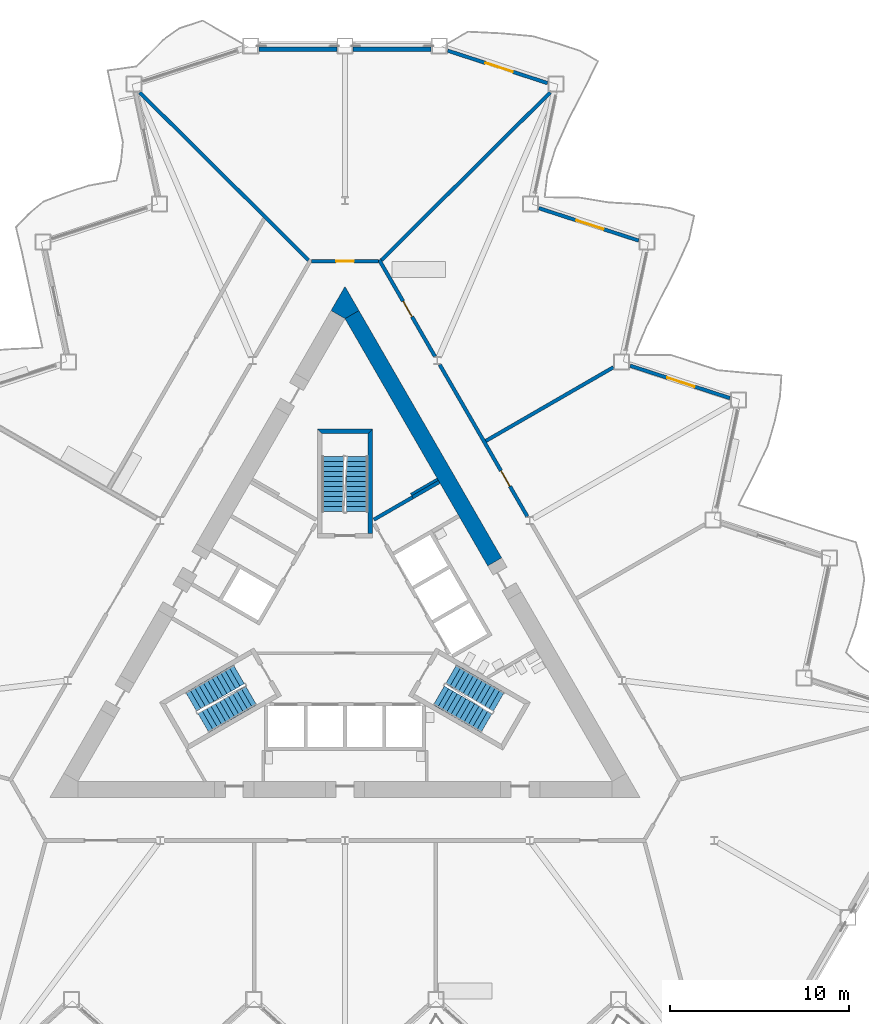
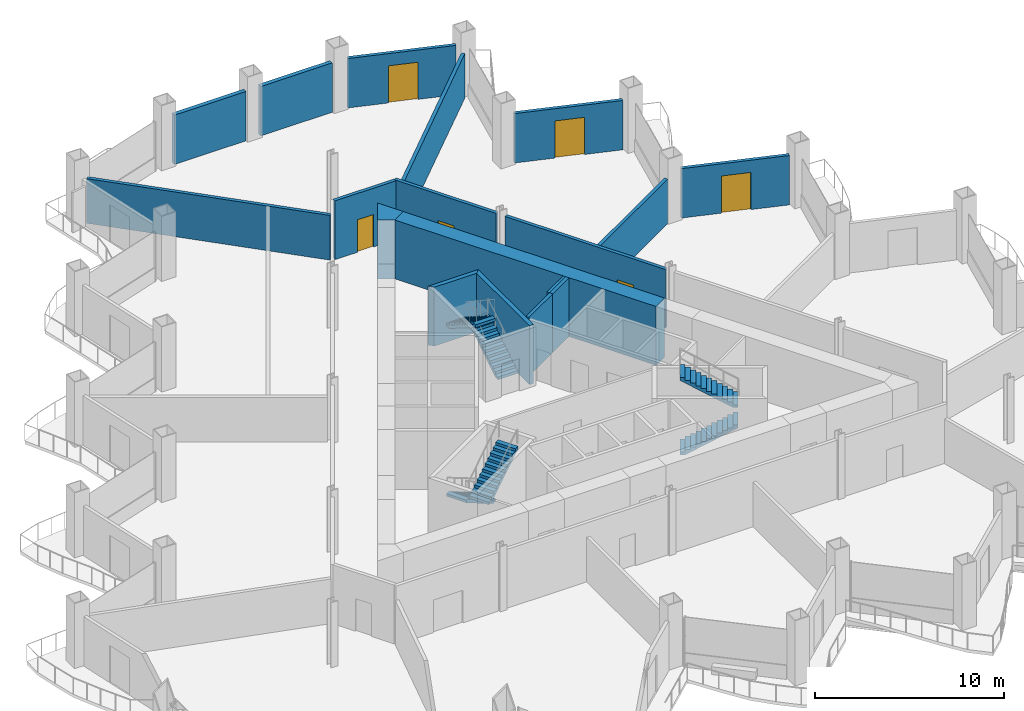
# One storey, part 13 of 21: 18 walls, 6 doors, 6 stair flights, 6 openings, 3 elements without a shape of their own.
"""IFC4 building model written with IfcOpenShell, lengths in metres."""

from ifc_helpers import new_model, si_unit, direction, frame, frame_2d, origin, place, context, subcontext, project, spatial, polyline, rectangle, outline, extrude, material, layer, layer_set, type_object, element, fill, aggregate, save


model = new_model("IFC4")

# Units and contexts
model_context = context("Model", 3, precision=1e-05, world=origin(), true_north=direction((0.0, 1.0)))
body_context = subcontext(model_context, "Body", "Model", "MODEL_VIEW")
ifc_project = project(units=[si_unit("LENGTHUNIT", "METRE"), si_unit("AREAUNIT", "SQUARE_METRE"), si_unit("VOLUMEUNIT", "CUBIC_METRE"), si_unit("PLANEANGLEUNIT", "RADIAN"), si_unit("MASSUNIT", "GRAM", prefix="KILO")], contexts=[model_context])

# Site, building, storey
site_placement = place(None, origin())
site = spatial("IfcSite", under=ifc_project, at=site_placement, CompositionType="ELEMENT")
building_placement = place(site_placement, origin())
building = spatial("IfcBuilding", under=site, at=building_placement, Name="Cormorant Prow Tower", CompositionType="ELEMENT")
storey_placement = place(building_placement, frame((0.0, 0.0, 145.800048828125)))
storey = spatial("IfcBuildingStorey", under=building, at=storey_placement, Name="L31", CompositionType="ELEMENT", Elevation=145.800048828125)

# Walls
ifc_material_1 = material(Name="Gypsum board partition")
ifc_layer_1 = layer(ifc_material_1, 0.14990234375)
ifc_layer_set_1 = layer_set([ifc_layer_1], Name="Gypsum board partition")
wall_type_1 = type_object("IfcWallType", Name="Core partition 150", PredefinedType="PARTITIONING", material=ifc_layer_set_1)
wall_1_placement = place(storey_placement, frame((3.693359375, 7.4150390625, 0.0), z_axis=(0.0, 0.0, 1.0), x_axis=(0.866024871741, 0.500000921525, 0.0)))
element("IfcWall", 1, at=wall_1_placement, inside=storey, type_object=wall_type_1, Name="Service room partition", PredefinedType="PARTITIONING", context=body_context, shape_type="SweptSolid", body=[
    extrude(rectangle(XDim=1.72021484375, YDim=0.14990234375, at=frame_2d((0.860107421875, 0.0))), origin(), (0.0, 0.0, 1.0), 3.800048828125),
])
ifc_material_2 = material(Name="Concrete 8000 psi", Category="concrete")
ifc_layer_2 = layer(ifc_material_2, 0.89990234375)
ifc_layer_set_2 = layer_set([ifc_layer_2], Name="Concrete 8000 psi")
wall_type_2 = type_object("IfcWallType", Name="Core shear wall 900", PredefinedType="SHEAR", material=ifc_layer_set_2)
wall_2_placement = place(storey_placement, frame((8.37158203125, 3.65234375, 0.0), z_axis=(0.0, 0.0, 1.0), x_axis=(-0.499997808738, 0.866026668906, 0.0)))
element("IfcWall", 2, at=wall_2_placement, inside=storey, type_object=wall_type_2, Name="Core wall", PredefinedType="SHEAR", context=body_context, shape_type="SweptSolid", body=[
    extrude(rectangle(XDim=15.9638671875, YDim=0.89990234375, at=frame_2d((7.98193359375, 0.0))), origin(), (0.0, 0.0, 1.0), 3.800048828125),
])
wall_3_placement = place(storey_placement, origin())
element("IfcWall", 3, at=wall_3_placement, inside=storey, type_object=wall_type_2, Name="Core wall corner", PredefinedType="SHEAR", context=body_context, shape_type="SweptSolid", body=[
    extrude(outline(polyline([(-0.779296875, 17.70263671875), (0.0, 19.052490234375), (0.779296875, 17.70263671875), (0.0, 17.252685546875), (-0.779296875, 17.70263671875)])), origin(), (0.0, 0.0, 1.0), 3.800048828125),
])

# Wall, opening, door
ifc_material_3 = material(Name="Gypsum board corridor wall")
ifc_layer_3 = layer(ifc_material_3, 0.199951171875)
ifc_layer_set_3 = layer_set([ifc_layer_3], Name="Gypsum board corridor wall")
wall_type_3 = type_object("IfcWallType", Name="Corridor wall 200", PredefinedType="PARTITIONING", material=ifc_layer_set_3)
wall_4_placement = place(storey_placement, frame((5.29541015625, 14.680419921875, 0.0), z_axis=(0.0, 0.0, 1.0), x_axis=(0.500012035596, -0.866018454918, 0.0)))
wall_4 = element("IfcWall", 4, at=wall_4_placement, inside=storey, type_object=wall_type_3, Name="Corridor wall", PredefinedType="PARTITIONING", context=body_context, shape_type="SweptSolid", body=[
    extrude(rectangle(XDim=9.803466796875, YDim=0.199951171875, at=frame_2d((4.90185546875, 0.0))), origin(), (0.0, 0.0, 1.0), 3.800048828125),
])
opening_1_placement = place(wall_4_placement, frame((6.8525390625, 0.0, 0.0)))
opening_1 = element("IfcOpeningElement", 5, at=opening_1_placement, cuts=wall_4, Name="Opening L31-F06", PredefinedType="OPENING", context=body_context, shape_type="SweptSolid", body=[
    extrude(rectangle(XDim=1.0, YDim=2.10009765625, at=frame_2d((0.5, 1.050048828125))), frame((0.0, 0.10986328125, 0.0), z_axis=(0.0, -1.0, 0.0), x_axis=(1.0, 0.0, 0.0)), (0.0, 0.0, 1.0), 0.219970703125),
])
ifc_material_4 = material(Name="Timber door leaf", Category="wood")
door_type_1 = type_object("IfcDoorType", Name="Office door 1000x2100", OperationType="NOTDEFINED", PredefinedType="DOOR", material=ifc_material_4)
door_1_placement = place(opening_1_placement, origin())
door_1 = element("IfcDoor", 6, at=door_1_placement, inside=storey, type_object=door_type_1, Name="Tenant suite door", OperationType="SINGLE_SWING_RIGHT", OverallHeight=2.10009765625, OverallWidth=1.0, PredefinedType="DOOR", context=body_context, shape_type="SweptSolid", body=[
    extrude(rectangle(XDim=1.0, YDim=2.10009765625, at=frame_2d((0.5, 1.050048828125))), frame((0.0, 0.02490234375, 0.0), z_axis=(0.0, -1.0, 0.0), x_axis=(1.0, 0.0, 0.0)), (0.0, 0.0, 1.0), 0.050048828125),
])
fill(opening_1, door_1)

wall_5_placement = place(storey_placement, frame((1.9130859375, 20.539306640625, 0.0), z_axis=(0.0, 0.0, 1.0), x_axis=(0.499980978912, -0.866036385336, 0.0)))
wall_5 = element("IfcWall", 7, at=wall_5_placement, inside=storey, type_object=wall_type_3, Name="Corridor wall", PredefinedType="PARTITIONING", context=body_context, shape_type="SweptSolid", body=[
    extrude(rectangle(XDim=6.239990234375, YDim=0.199951171875, at=frame_2d((3.1201171875, 0.0))), origin(), (0.0, 0.0, 1.0), 3.800048828125),
])
opening_2_placement = place(wall_5_placement, frame((2.67041015625, 0.0, 0.0)))
opening_2 = element("IfcOpeningElement", 8, at=opening_2_placement, cuts=wall_5, Name="Opening L31-F07", PredefinedType="OPENING", context=body_context, shape_type="SweptSolid", body=[
    extrude(rectangle(XDim=1.0, YDim=2.10009765625, at=frame_2d((0.5, 1.050048828125))), frame((0.0, 0.10986328125, 0.0), z_axis=(0.0, -1.0, 0.0), x_axis=(1.0, 0.0, 0.0)), (0.0, 0.0, 1.0), 0.219970703125),
])
door_2_placement = place(opening_2_placement, origin())
door_2 = element("IfcDoor", 9, at=door_2_placement, inside=storey, type_object=door_type_1, Name="Tenant reception door", OperationType="SINGLE_SWING_RIGHT", OverallHeight=2.10009765625, OverallWidth=1.0, PredefinedType="DOOR", context=body_context, shape_type="SweptSolid", body=[
    extrude(rectangle(XDim=1.0, YDim=2.10009765625, at=frame_2d((0.5, 1.050048828125))), frame((0.0, 0.02490234375, 0.0), z_axis=(0.0, -1.0, 0.0), x_axis=(1.0, 0.0, 0.0)), (0.0, 0.0, 1.0), 0.050048828125),
])
fill(opening_2, door_2)

wall_6_placement = place(storey_placement, frame((-1.863037109375, 20.45263671875, 0.0), z_axis=(0.0, 0.0, 1.0), x_axis=(1.0, 0.0, 0.0)))
wall_6 = element("IfcWall", 10, at=wall_6_placement, inside=storey, type_object=wall_type_3, Name="Corridor wall", PredefinedType="PARTITIONING", context=body_context, shape_type="SweptSolid", body=[
    extrude(rectangle(XDim=3.72607421875, YDim=0.199951171875, at=frame_2d((1.863037109375, 0.0))), origin(), (0.0, 0.0, 1.0), 3.800048828125),
])
opening_3_placement = place(wall_6_placement, frame((1.363037109375, 0.0, 0.0)))
opening_3 = element("IfcOpeningElement", 11, at=opening_3_placement, cuts=wall_6, Name="Opening L31-F08", PredefinedType="OPENING", context=body_context, shape_type="SweptSolid", body=[
    extrude(rectangle(XDim=1.0, YDim=2.10009765625, at=frame_2d((0.5, 1.050048828125))), frame((0.0, 0.10986328125, 0.0), z_axis=(0.0, -1.0, 0.0), x_axis=(1.0, 0.0, 0.0)), (0.0, 0.0, 1.0), 0.219970703125),
])
door_3_placement = place(opening_3_placement, origin())
door_3 = element("IfcDoor", 12, at=door_3_placement, inside=storey, type_object=door_type_1, Name="Tenant suite door", OperationType="SINGLE_SWING_LEFT", OverallHeight=2.10009765625, OverallWidth=1.0, PredefinedType="DOOR", context=body_context, shape_type="SweptSolid", body=[
    extrude(rectangle(XDim=1.0, YDim=2.10009765625, at=frame_2d((0.5, 1.050048828125))), frame((0.0, 0.02490234375, 0.0), z_axis=(0.0, -1.0, 0.0), x_axis=(1.0, 0.0, 0.0)), (0.0, 0.0, 1.0), 0.050048828125),
])
fill(opening_3, door_3)

# Walls
ifc_material_5 = material(Name="Gypsum board demising wall")
ifc_layer_4 = layer(ifc_material_5, 0.199951171875)
ifc_layer_set_4 = layer_set([ifc_layer_4], Name="Gypsum board demising wall")
wall_type_4 = type_object("IfcWallType", Name="Demising wall 200", PredefinedType="PARTITIONING", material=ifc_layer_set_4)
for number, where, z_axis, x_axis, name in (
    (13, (2.033935546875, 20.52294921875, 0.0), (0.0, 0.0, 1.0), (0.709504632293, 0.704700771076, 0.0), "Demising wall"),
    (14, (-11.481201171875, 29.90625, 0.0), (0.0, 0.0, 1.0), (0.709504632293, -0.704700771076, 0.0), "Demising wall"),
):
    element("IfcWall", number, at=place(storey_placement, frame(where, z_axis=z_axis, x_axis=x_axis)), inside=storey, type_object=wall_type_4, Name=name, PredefinedType="PARTITIONING", context=body_context, shape_type="SweptSolid", body=[
        extrude(rectangle(XDim=13.315185546875, YDim=0.199951171875, at=frame_2d((6.65771484375, 0.0))), origin(), (0.0, 0.0, 1.0), 2.88525390625),
    ])
wall_7_placement = place(storey_placement, frame((7.87451171875, 10.413818359375, 0.0), z_axis=(0.0, 0.0, 1.0), x_axis=(0.866026194422, 0.499998630573, 0.0)))
element("IfcWall", 15, at=wall_7_placement, inside=storey, type_object=wall_type_4, Name="Demising wall", PredefinedType="PARTITIONING", context=body_context, shape_type="SweptSolid", body=[
    extrude(rectangle(XDim=8.23876953125, YDim=0.199951171875, at=frame_2d((4.119384765625, 0.0))), origin(), (0.0, 0.0, 1.0), 2.88525390625),
])
ifc_material_6 = material(Name="Concrete 8000 psi", Category="concrete")
ifc_layer_5 = layer(ifc_material_6, 0.199951171875)
ifc_layer_set_5 = layer_set([ifc_layer_5], Name="Concrete 8000 psi")
wall_type_5 = type_object("IfcWallType", Name="Lift shaft wall 200", PredefinedType="SHEAR", material=ifc_layer_set_5)
wall_8_placement = place(storey_placement, origin())
element("IfcWall", 16, at=wall_8_placement, inside=storey, type_object=wall_type_5, Name="Lift shaft walls, ENE block", PredefinedType="SHEAR", context=body_context, shape_type="SweptSolid", body=[
    extrude(outline(polyline([(1.560546875, 6.09716796875), (3.730712890625, 7.35009765625), (3.830810546875, 7.177001953125), (1.660400390625, 5.923828125), (1.560546875, 6.09716796875)])), origin(), (0.0, 0.0, 1.0), 3.800048828125),
])
wall_9_placement = place(storey_placement, frame((3.78076171875, 7.263427734375, 0.0), z_axis=(0.0, 0.0, 1.0), x_axis=(0.865963414263, 0.500107353632, 0.0)))
element("IfcWall", 17, at=wall_9_placement, inside=storey, type_object=wall_type_5, Name="Store side wall", PredefinedType="SHEAR", context=body_context, shape_type="SweptSolid", body=[
    extrude(rectangle(XDim=1.72021484375, YDim=0.199951171875, at=frame_2d((0.860107421875, 0.0))), origin(), (0.0, 0.0, 1.0), 3.800048828125),
])
ifc_material_7 = material(Name="Concrete 8000 psi", Category="concrete")
ifc_layer_6 = layer(ifc_material_7, 0.25)
ifc_layer_set_6 = layer_set([ifc_layer_6], Name="Concrete 8000 psi")
wall_type_6 = type_object("IfcWallType", Name="Stair wall 250", PredefinedType="SHEAR", material=ifc_layer_set_6)
wall_10_placement = place(storey_placement, origin())
element("IfcWall", 18, at=wall_10_placement, inside=storey, type_object=wall_type_6, Name="Stair ST3 enclosure wall (flank)", PredefinedType="SHEAR", context=body_context, shape_type="SweptSolid", body=[
    extrude(outline(polyline([(1.5439453125, 5.23681640625), (1.5439453125, 11.0869140625), (1.2939453125, 10.8369140625), (1.2939453125, 5.23681640625), (1.5439453125, 5.23681640625)])), origin(), (0.0, 0.0, 1.0), 3.800048828125),
])
wall_11_placement = place(storey_placement, origin())
element("IfcWall", 19, at=wall_11_placement, inside=storey, type_object=wall_type_6, Name="Stair ST3 enclosure wall (end)", PredefinedType="SHEAR", context=body_context, shape_type="SweptSolid", body=[
    extrude(outline(polyline([(1.5439453125, 11.0869140625), (-1.5439453125, 11.0869140625), (-1.2939453125, 10.8369140625), (1.2939453125, 10.8369140625), (1.5439453125, 11.0869140625)])), origin(), (0.0, 0.0, 1.0), 3.800048828125),
])
ifc_material_8 = material(Name="Terracotta", Category="masonry")
ifc_layer_7 = layer(ifc_material_8, 0.25)
ifc_layer_set_7 = layer_set([ifc_layer_7], Name="Terracotta")
wall_type_7 = type_object("IfcWallType", Name="Terracotta bay wall 250", PredefinedType="SOLIDWALL", material=ifc_layer_set_7)
for number, where, z_axis, x_axis, name in (
    (20, (4.819580078125, 32.3291015625, 0.0), (0.0, 0.0, 1.0), (-1.0, 0.0, 0.0), "Terracotta bay wall N00"),
    (21, (-0.449951171875, 32.3291015625, 0.0), (0.0, 0.0, 1.0), (-1.0, 0.0, 0.0), "Terracotta bay wall N01"),
):
    element("IfcWall", number, at=place(storey_placement, frame(where, z_axis=z_axis, x_axis=x_axis)), inside=storey, type_object=wall_type_7, Name=name, PredefinedType="SOLIDWALL", context=body_context, shape_type="SweptSolid", body=[
        extrude(rectangle(XDim=4.36962890625, YDim=0.25, at=frame_2d((2.184814453125, 0.0))), origin(), (0.0, 0.0, 1.0), 3.18896484375),
    ])

# Wall, opening, door
ifc_material_9 = material(Name="Terracotta", Category="masonry")
ifc_layer_8 = layer(ifc_material_9, 0.199951171875)
ifc_layer_set_8 = layer_set([ifc_layer_8], Name="Terracotta")
wall_type_8 = type_object("IfcWallType", Name="Terracotta jamb wall 200", PredefinedType="SOLIDWALL", material=ifc_layer_set_8)
wall_12_placement = place(storey_placement, frame((21.521484375, 12.8095703125, 0.0), z_axis=(0.0, 0.0, 1.0), x_axis=(-0.951049976734, 0.309037120351, 0.0)))
wall_12 = element("IfcWall", 22, at=wall_12_placement, inside=storey, type_object=wall_type_8, Name="Terracotta jamb wall ENE05", PredefinedType="SOLIDWALL", context=body_context, shape_type="SweptSolid", body=[
    extrude(rectangle(XDim=5.8642578125, YDim=0.199951171875, at=frame_2d((2.93212890625, 0.0))), origin(), (0.0, 0.0, 1.0), 3.18896484375),
])
opening_4_placement = place(wall_12_placement, frame((2.081298828125, 0.0, 0.0)))
opening_4 = element("IfcOpeningElement", 23, at=opening_4_placement, cuts=wall_12, Name="Opening ED31.08", PredefinedType="OPENING", context=body_context, shape_type="SweptSolid", body=[
    extrude(rectangle(XDim=1.60009765625, YDim=2.39990234375, at=frame_2d((0.800048828125, 1.199951171875))), frame((0.0, 0.10986328125, 0.0), z_axis=(0.0, -1.0, 0.0), x_axis=(1.0, 0.0, 0.0)), (0.0, 0.0, 1.0), 0.219970703125),
])
ifc_material_10 = material(Name="Aluminium 6063-T6", Category="aluminium")
door_type_2 = type_object("IfcDoorType", Name="Balcony door 1600x2400", OperationType="DOUBLE_DOOR_SINGLE_SWING", PredefinedType="DOOR", material=ifc_material_10)
door_4_placement = place(opening_4_placement, origin())
door_4 = element("IfcDoor", 24, at=door_4_placement, inside=storey, type_object=door_type_2, Name="Balcony door ENE05 ED31.08", OperationType="DOUBLE_DOOR_SINGLE_SWING", OverallHeight=2.39990234375, OverallWidth=1.60009765625, PredefinedType="DOOR", context=body_context, shape_type="SweptSolid", body=[
    extrude(rectangle(XDim=1.60009765625, YDim=2.39990234375, at=frame_2d((0.800048828125, 1.199951171875))), frame((0.0, 0.02490234375, 0.0), z_axis=(0.0, -1.0, 0.0), x_axis=(1.0, 0.0, 0.0)), (0.0, 0.0, 1.0), 0.050048828125),
])
fill(opening_4, door_4)

wall_13_placement = place(storey_placement, frame((16.421630859375, 21.616943359375, 0.0), z_axis=(0.0, 0.0, 1.0), x_axis=(-0.951066187209, 0.308987228779, 0.0)))
wall_13 = element("IfcWall", 25, at=wall_13_placement, inside=storey, type_object=wall_type_8, Name="Terracotta jamb wall ENE07", PredefinedType="SOLIDWALL", context=body_context, shape_type="SweptSolid", body=[
    extrude(rectangle(XDim=5.8642578125, YDim=0.199951171875, at=frame_2d((2.93212890625, 0.0))), origin(), (0.0, 0.0, 1.0), 3.18896484375),
])
opening_5_placement = place(wall_13_placement, frame((2.061767578125, 0.0, 0.0)))
opening_5 = element("IfcOpeningElement", 26, at=opening_5_placement, cuts=wall_13, Name="Opening ED31.09", PredefinedType="OPENING", context=body_context, shape_type="SweptSolid", body=[
    extrude(rectangle(XDim=1.60009765625, YDim=2.39990234375, at=frame_2d((0.800048828125, 1.199951171875))), frame((0.0, 0.10986328125, 0.0), z_axis=(0.0, -1.0, 0.0), x_axis=(1.0, 0.0, 0.0)), (0.0, 0.0, 1.0), 0.219970703125),
])
door_5_placement = place(opening_5_placement, origin())
door_5 = element("IfcDoor", 27, at=door_5_placement, inside=storey, type_object=door_type_2, Name="Balcony door ENE07 ED31.09", OperationType="DOUBLE_DOOR_SINGLE_SWING", OverallHeight=2.39990234375, OverallWidth=1.60009765625, PredefinedType="DOOR", context=body_context, shape_type="SweptSolid", body=[
    extrude(rectangle(XDim=1.60009765625, YDim=2.39990234375, at=frame_2d((0.800048828125, 1.199951171875))), frame((0.0, 0.02490234375, 0.0), z_axis=(0.0, -1.0, 0.0), x_axis=(1.0, 0.0, 0.0)), (0.0, 0.0, 1.0), 0.050048828125),
])
fill(opening_5, door_5)

wall_14_placement = place(storey_placement, frame((11.32177734375, 30.424072265625, 0.0), z_axis=(0.0, 0.0, 1.0), x_axis=(-0.951053952554, 0.309024884649, 0.0)))
wall_14 = element("IfcWall", 28, at=wall_14_placement, inside=storey, type_object=wall_type_8, Name="Terracotta jamb wall ENE09", PredefinedType="SOLIDWALL", context=body_context, shape_type="SweptSolid", body=[
    extrude(rectangle(XDim=5.864501953125, YDim=0.199951171875, at=frame_2d((2.93212890625, 0.0))), origin(), (0.0, 0.0, 1.0), 3.18896484375),
])
opening_6_placement = place(wall_14_placement, frame((2.042236328125, 0.0, 0.0)))
opening_6 = element("IfcOpeningElement", 29, at=opening_6_placement, cuts=wall_14, Name="Opening ED31.10", PredefinedType="OPENING", context=body_context, shape_type="SweptSolid", body=[
    extrude(rectangle(XDim=1.60009765625, YDim=2.39990234375, at=frame_2d((0.800048828125, 1.199951171875))), frame((0.0, 0.10986328125, 0.0), z_axis=(0.0, -1.0, 0.0), x_axis=(1.0, 0.0, 0.0)), (0.0, 0.0, 1.0), 0.219970703125),
])
door_6_placement = place(opening_6_placement, origin())
door_6 = element("IfcDoor", 30, at=door_6_placement, inside=storey, type_object=door_type_2, Name="Balcony door ENE09 ED31.10", OperationType="DOUBLE_DOOR_SINGLE_SWING", OverallHeight=2.39990234375, OverallWidth=1.60009765625, PredefinedType="DOOR", context=body_context, shape_type="SweptSolid", body=[
    extrude(rectangle(XDim=1.60009765625, YDim=2.39990234375, at=frame_2d((0.800048828125, 1.199951171875))), frame((0.0, 0.02490234375, 0.0), z_axis=(0.0, -1.0, 0.0), x_axis=(1.0, 0.0, 0.0)), (0.0, 0.0, 1.0), 0.050048828125),
])
fill(opening_6, door_6)

# Stair, stair flights
ifc_material_11 = material(Name="Exit stair 24 risers")
stair_type = type_object("IfcStairType", Name="Exit stair 24 risers", PredefinedType="HALF_TURN_STAIR", material=ifc_material_11)
stair_1_placement = place(storey_placement, origin())
stair_1 = element("IfcStair", 31, at=stair_1_placement, inside=storey, type_object=stair_type, Name="L31 Exit stair ST1", PredefinedType="HALF_TURN_STAIR")
ifc_material_12 = material(Name="Concrete 5000 psi", Category="concrete")
stair_flight_type = type_object("IfcStairFlightType", Name="Stair flight 1219", PredefinedType="STRAIGHT", material=ifc_material_12)
stair_flight_1_placement = place(storey_placement, frame((-5.93310546875, -2.635009765625, 0.0), z_axis=(0.0, 0.0, 1.0), x_axis=(-0.866025403784, -0.5, 0.0)))
stair_flight_1 = element("IfcStairFlight", 32, at=stair_flight_1_placement, type_object=stair_flight_type, Name="ST1 flight 1", NumberOfRisers=12, NumberOfTreads=11, PredefinedType="STRAIGHT", RiserHeight=0.175, TreadLength=0.28, context=body_context, shape_type="SweptSolid", body=[
    extrude(outline(polyline([(0.0, 0.0), (0.0, 0.175048828125), (0.280029296875, 0.175048828125), (0.280029296875, 0.35009765625), (0.56005859375, 0.35009765625), (0.56005859375, 0.52490234375), (0.840087890625, 0.52490234375), (0.840087890625, 0.699951171875), (1.1201171875, 0.699951171875), (1.1201171875, 0.875), (1.39990234375, 0.875), (1.39990234375, 1.050048828125), (1.679931640625, 1.050048828125), (1.679931640625, 1.22509765625), (1.9599609375, 1.22509765625), (1.9599609375, 1.39990234375), (2.239990234375, 1.39990234375), (2.239990234375, 1.574951171875), (2.52001953125, 1.574951171875), (2.52001953125, 1.75), (2.800048828125, 1.75), (2.800048828125, 1.925048828125), (3.080078125, 1.925048828125), (3.080078125, 2.10009765625), (3.080078125, 1.748291015625), (0.28271484375, 0.0), (0.0, 0.0)])), frame((0.0, 0.609375, 0.0), z_axis=(0.0, -1.0, 0.0), x_axis=(1.0, 0.0, 0.0)), (0.0, 0.0, 1.0), 1.218994140625),
])
stair_flight_2_placement = place(storey_placement, frame((-7.916015625, -5.360595703125, 2.099853515625), z_axis=(0.0, 0.0, 1.0), x_axis=(0.866025403784, 0.5, 0.0)))
stair_flight_2 = element("IfcStairFlight", 33, at=stair_flight_2_placement, type_object=stair_flight_type, Name="ST1 flight 2", NumberOfRisers=12, NumberOfTreads=11, PredefinedType="STRAIGHT", RiserHeight=0.175, TreadLength=0.28, context=body_context, shape_type="SweptSolid", body=[
    extrude(outline(polyline([(0.0, 0.0), (0.0, 0.175048828125), (0.280029296875, 0.175048828125), (0.280029296875, 0.35009765625), (0.56005859375, 0.35009765625), (0.56005859375, 0.52490234375), (0.840087890625, 0.52490234375), (0.840087890625, 0.699951171875), (1.1201171875, 0.699951171875), (1.1201171875, 0.875), (1.39990234375, 0.875), (1.39990234375, 1.050048828125), (1.679931640625, 1.050048828125), (1.679931640625, 1.22509765625), (1.9599609375, 1.22509765625), (1.9599609375, 1.39990234375), (2.239990234375, 1.39990234375), (2.239990234375, 1.574951171875), (2.52001953125, 1.574951171875), (2.52001953125, 1.75), (2.800048828125, 1.75), (2.800048828125, 1.925048828125), (3.080078125, 1.925048828125), (3.080078125, 2.10009765625), (3.080078125, 1.748291015625), (0.28271484375, 0.0), (0.0, 0.0)])), frame((0.0, 0.609375, 0.0), z_axis=(0.0, -1.0, 0.0), x_axis=(1.0, 0.0, 0.0)), (0.0, 0.0, 1.0), 1.218994140625),
])
aggregate(stair_1, [stair_flight_1, stair_flight_2])

stair_2_placement = place(storey_placement, origin())
stair_2 = element("IfcStair", 34, at=stair_2_placement, inside=storey, type_object=stair_type, Name="L31 Exit stair ST2", PredefinedType="HALF_TURN_STAIR")
stair_flight_3_placement = place(storey_placement, frame((5.24853515625, -3.82080078125, 0.0), z_axis=(0.0, 0.0, 1.0), x_axis=(0.866025403784, -0.5, 0.0)))
stair_flight_3 = element("IfcStairFlight", 35, at=stair_flight_3_placement, type_object=stair_flight_type, Name="ST2 flight 1", NumberOfRisers=12, NumberOfTreads=11, PredefinedType="STRAIGHT", RiserHeight=0.175, TreadLength=0.28, context=body_context, shape_type="SweptSolid", body=[
    extrude(outline(polyline([(0.0, 0.0), (0.0, 0.175048828125), (0.280029296875, 0.175048828125), (0.280029296875, 0.35009765625), (0.56005859375, 0.35009765625), (0.56005859375, 0.52490234375), (0.840087890625, 0.52490234375), (0.840087890625, 0.699951171875), (1.1201171875, 0.699951171875), (1.1201171875, 0.875), (1.39990234375, 0.875), (1.39990234375, 1.050048828125), (1.679931640625, 1.050048828125), (1.679931640625, 1.22509765625), (1.9599609375, 1.22509765625), (1.9599609375, 1.39990234375), (2.239990234375, 1.39990234375), (2.239990234375, 1.574951171875), (2.52001953125, 1.574951171875), (2.52001953125, 1.75), (2.800048828125, 1.75), (2.800048828125, 1.925048828125), (3.080078125, 1.925048828125), (3.080078125, 2.10009765625), (3.080078125, 1.748291015625), (0.28271484375, 0.0), (0.0, 0.0)])), frame((0.0, 0.609375, 0.0), z_axis=(0.0, -1.0, 0.0), x_axis=(1.0, 0.0, 0.0)), (0.0, 0.0, 1.0), 1.218994140625),
])
stair_flight_4_placement = place(storey_placement, frame((8.6005859375, -4.175048828125, 2.099853515625), z_axis=(0.0, 0.0, 1.0), x_axis=(-0.866025403784, 0.5, 0.0)))
stair_flight_4 = element("IfcStairFlight", 36, at=stair_flight_4_placement, type_object=stair_flight_type, Name="ST2 flight 2", NumberOfRisers=12, NumberOfTreads=11, PredefinedType="STRAIGHT", RiserHeight=0.175, TreadLength=0.28, context=body_context, shape_type="SweptSolid", body=[
    extrude(outline(polyline([(0.0, 0.0), (0.0, 0.175048828125), (0.280029296875, 0.175048828125), (0.280029296875, 0.35009765625), (0.56005859375, 0.35009765625), (0.56005859375, 0.52490234375), (0.840087890625, 0.52490234375), (0.840087890625, 0.699951171875), (1.1201171875, 0.699951171875), (1.1201171875, 0.875), (1.39990234375, 0.875), (1.39990234375, 1.050048828125), (1.679931640625, 1.050048828125), (1.679931640625, 1.22509765625), (1.9599609375, 1.22509765625), (1.9599609375, 1.39990234375), (2.239990234375, 1.39990234375), (2.239990234375, 1.574951171875), (2.52001953125, 1.574951171875), (2.52001953125, 1.75), (2.800048828125, 1.75), (2.800048828125, 1.925048828125), (3.080078125, 1.925048828125), (3.080078125, 2.10009765625), (3.080078125, 1.748291015625), (0.28271484375, 0.0), (0.0, 0.0)])), frame((0.0, 0.609375, 0.0), z_axis=(0.0, -1.0, 0.0), x_axis=(1.0, 0.0, 0.0)), (0.0, 0.0, 1.0), 1.218994140625),
])
aggregate(stair_2, [stair_flight_3, stair_flight_4])

stair_3_placement = place(storey_placement, origin())
stair_3 = element("IfcStair", 37, at=stair_3_placement, inside=storey, type_object=stair_type, Name="L31 Exit stair ST3", PredefinedType="HALF_TURN_STAIR")
stair_flight_5_placement = place(storey_placement, frame((0.6845703125, 6.455810546875, 0.0), z_axis=(0.0, 0.0, 1.0), x_axis=(0.0, 1.0, 0.0)))
stair_flight_5 = element("IfcStairFlight", 38, at=stair_flight_5_placement, type_object=stair_flight_type, Name="ST3 flight 1", NumberOfRisers=12, NumberOfTreads=11, PredefinedType="STRAIGHT", RiserHeight=0.175, TreadLength=0.28, context=body_context, shape_type="SweptSolid", body=[
    extrude(outline(polyline([(0.0, 0.0), (0.0, 0.175048828125), (0.280029296875, 0.175048828125), (0.280029296875, 0.35009765625), (0.56005859375, 0.35009765625), (0.56005859375, 0.52490234375), (0.840087890625, 0.52490234375), (0.840087890625, 0.699951171875), (1.1201171875, 0.699951171875), (1.1201171875, 0.875), (1.39990234375, 0.875), (1.39990234375, 1.050048828125), (1.679931640625, 1.050048828125), (1.679931640625, 1.22509765625), (1.9599609375, 1.22509765625), (1.9599609375, 1.39990234375), (2.239990234375, 1.39990234375), (2.239990234375, 1.574951171875), (2.52001953125, 1.574951171875), (2.52001953125, 1.75), (2.800048828125, 1.75), (2.800048828125, 1.925048828125), (3.080078125, 1.925048828125), (3.080078125, 2.10009765625), (3.080078125, 1.748291015625), (0.28271484375, 0.0), (0.0, 0.0)])), frame((0.0, 0.609375, 0.0), z_axis=(0.0, -1.0, 0.0), x_axis=(1.0, 0.0, 0.0)), (0.0, 0.0, 1.0), 1.218994140625),
])
stair_flight_6_placement = place(storey_placement, frame((-0.6845703125, 9.535888671875, 2.099853515625), z_axis=(0.0, 0.0, 1.0), x_axis=(0.0, -1.0, 0.0)))
stair_flight_6 = element("IfcStairFlight", 39, at=stair_flight_6_placement, type_object=stair_flight_type, Name="ST3 flight 2", NumberOfRisers=12, NumberOfTreads=11, PredefinedType="STRAIGHT", RiserHeight=0.175, TreadLength=0.28, context=body_context, shape_type="SweptSolid", body=[
    extrude(outline(polyline([(0.0, 0.0), (0.0, 0.175048828125), (0.280029296875, 0.175048828125), (0.280029296875, 0.35009765625), (0.56005859375, 0.35009765625), (0.56005859375, 0.52490234375), (0.840087890625, 0.52490234375), (0.840087890625, 0.699951171875), (1.1201171875, 0.699951171875), (1.1201171875, 0.875), (1.39990234375, 0.875), (1.39990234375, 1.050048828125), (1.679931640625, 1.050048828125), (1.679931640625, 1.22509765625), (1.9599609375, 1.22509765625), (1.9599609375, 1.39990234375), (2.239990234375, 1.39990234375), (2.239990234375, 1.574951171875), (2.52001953125, 1.574951171875), (2.52001953125, 1.75), (2.800048828125, 1.75), (2.800048828125, 1.925048828125), (3.080078125, 1.925048828125), (3.080078125, 2.10009765625), (3.080078125, 1.748291015625), (0.28271484375, 0.0), (0.0, 0.0)])), frame((0.0, 0.609375, 0.0), z_axis=(0.0, -1.0, 0.0), x_axis=(1.0, 0.0, 0.0)), (0.0, 0.0, 1.0), 1.218994140625),
])
aggregate(stair_3, [stair_flight_5, stair_flight_6])

save(model, "model.ifc")
